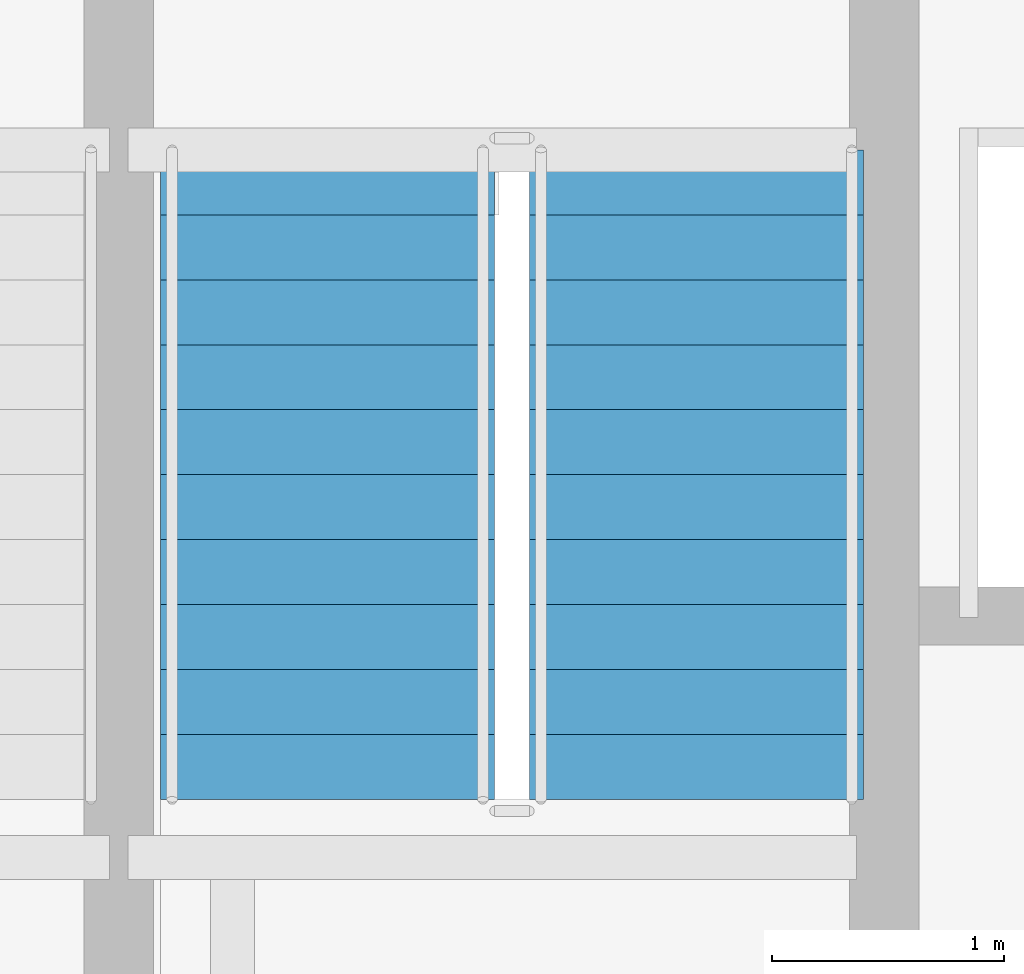
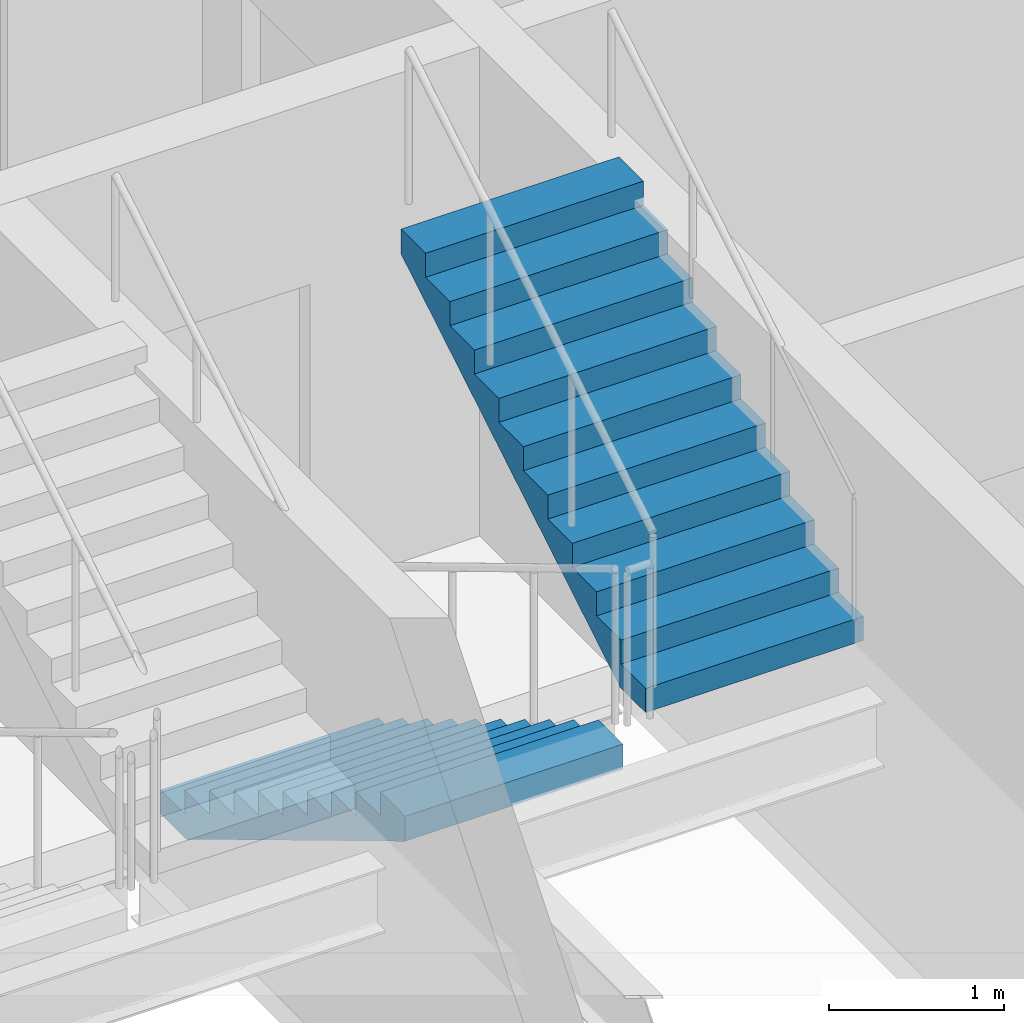
# One storey, part 22 of 28: 2 stair flights, 1 element without a shape of its own.
"""IFC4 building model written with IfcOpenShell, lengths in metres."""

from ifc_helpers import new_model, si_unit, direction, frame, origin, place, context, subcontext, project, spatial, polyline, outline, extrude, material, layer, layer_set, type_object, element, aggregate, save


model = new_model("IFC4")

# Units and contexts
model_context = context("Model", 3, precision=1e-05, world=origin(), true_north=direction((0.0, 1.0)))
body_context = subcontext(model_context, "Body", "Model", "MODEL_VIEW")
ifc_project = project(units=[si_unit("LENGTHUNIT", "METRE"), si_unit("AREAUNIT", "SQUARE_METRE"), si_unit("VOLUMEUNIT", "CUBIC_METRE"), si_unit("PLANEANGLEUNIT", "RADIAN"), si_unit("MASSUNIT", "GRAM", prefix="KILO")], contexts=[model_context])

# Site, building, storey
site_placement = place(None, origin())
site = spatial("IfcSite", under=ifc_project, at=site_placement, CompositionType="ELEMENT")
building_placement = place(site_placement, origin())
building = spatial("IfcBuilding", under=site, at=building_placement, Name="Solvaryn Broadcast Tower", CompositionType="ELEMENT")
storey_placement = place(building_placement, frame((0.0, 0.0, 206.199951171875)))
storey = spatial("IfcBuildingStorey", under=building, at=storey_placement, Name="L51", CompositionType="ELEMENT", Elevation=206.199951171875)

# Stair, stair flights
ifc_material_1 = material(Name="Concrete f'c 60 MPa", Category="concrete")
stair_type = type_object("IfcStairType", Name="ST-CORE", PredefinedType="HALF_TURN_STAIR", material=ifc_material_1)
stair_placement = place(storey_placement, origin())
stair = element("IfcStair", 1, at=stair_placement, inside=storey, type_object=stair_type, Name="L51 ST2", PredefinedType="HALF_TURN_STAIR")
ifc_material_2 = material(Name="Concrete f'c 60 MPa", Category="concrete")
ifc_layer = layer(ifc_material_2, 0.159912109375)
ifc_layer_set = layer_set([ifc_layer], Name="SF-CORE")
stair_flight_type = type_object("IfcStairFlightType", Name="SF-CORE", PredefinedType="STRAIGHT", material=ifc_layer_set)
stair_flight_1_placement = place(storey_placement, frame((15.52001953125, 35.9599609375, 0.0), z_axis=(0.0, 0.0, 1.0), x_axis=(0.0, -1.0, 0.0)))
stair_flight_1 = element("IfcStairFlight", 2, at=stair_flight_1_placement, type_object=stair_flight_type, Name="ST2 flight 1", NumberOfRisers=11, NumberOfTreads=10, PredefinedType="STRAIGHT", RiserHeight=0.168181818, TreadLength=0.28, context=body_context, shape_type="SweptSolid", body=[
    extrude(outline(polyline([(0.0, 0.0), (0.0, 0.168212890625), (0.280029296875, 0.168212890625), (0.280029296875, 0.33642578125), (0.56005859375, 0.33642578125), (0.56005859375, 0.504638671875), (0.840087890625, 0.504638671875), (0.840087890625, 0.672607421875), (1.1201171875, 0.672607421875), (1.1201171875, 0.8408203125), (1.39990234375, 0.8408203125), (1.39990234375, 1.009033203125), (1.679931640625, 1.009033203125), (1.679931640625, 1.17724609375), (1.9599609375, 1.17724609375), (1.9599609375, 1.345458984375), (2.239990234375, 1.345458984375), (2.239990234375, 1.513671875), (2.52001953125, 1.513671875), (2.52001953125, 1.681884765625), (2.800048828125, 1.681884765625), (2.800048828125, 1.85009765625), (2.800048828125, 1.5068359375), (0.291015625, 0.0), (0.0, 0.0)])), frame((0.0, 0.719970703125, 0.0), z_axis=(0.0, -1.0, 0.0), x_axis=(1.0, 0.0, 0.0)), (0.0, 0.0, 1.0), 1.43994140625),
])
stair_flight_2_placement = place(storey_placement, frame((17.110107421875, 33.159912109375, 1.85009765625), z_axis=(0.0, 0.0, 1.0), x_axis=(0.0, 1.0, 0.0)))
stair_flight_2 = element("IfcStairFlight", 3, at=stair_flight_2_placement, type_object=stair_flight_type, Name="ST2 flight 2", NumberOfRisers=11, NumberOfTreads=10, PredefinedType="STRAIGHT", RiserHeight=0.168181818, TreadLength=0.28, context=body_context, shape_type="SweptSolid", body=[
    extrude(outline(polyline([(0.0, 0.0), (0.0, 0.168212890625), (0.280029296875, 0.168212890625), (0.280029296875, 0.33642578125), (0.56005859375, 0.33642578125), (0.56005859375, 0.504638671875), (0.840087890625, 0.504638671875), (0.840087890625, 0.672607421875), (1.1201171875, 0.672607421875), (1.1201171875, 0.8408203125), (1.39990234375, 0.8408203125), (1.39990234375, 1.009033203125), (1.679931640625, 1.009033203125), (1.679931640625, 1.17724609375), (1.9599609375, 1.17724609375), (1.9599609375, 1.345458984375), (2.239990234375, 1.345458984375), (2.239990234375, 1.513671875), (2.52001953125, 1.513671875), (2.52001953125, 1.681884765625), (2.800048828125, 1.681884765625), (2.800048828125, 1.85009765625), (2.800048828125, 1.5068359375), (0.291015625, 0.0), (0.0, 0.0)])), frame((0.0, 0.719970703125, 0.0), z_axis=(0.0, -1.0, 0.0), x_axis=(1.0, 0.0, 0.0)), (0.0, 0.0, 1.0), 1.43994140625),
])
aggregate(stair, [stair_flight_1, stair_flight_2])

save(model, "model.ifc")
